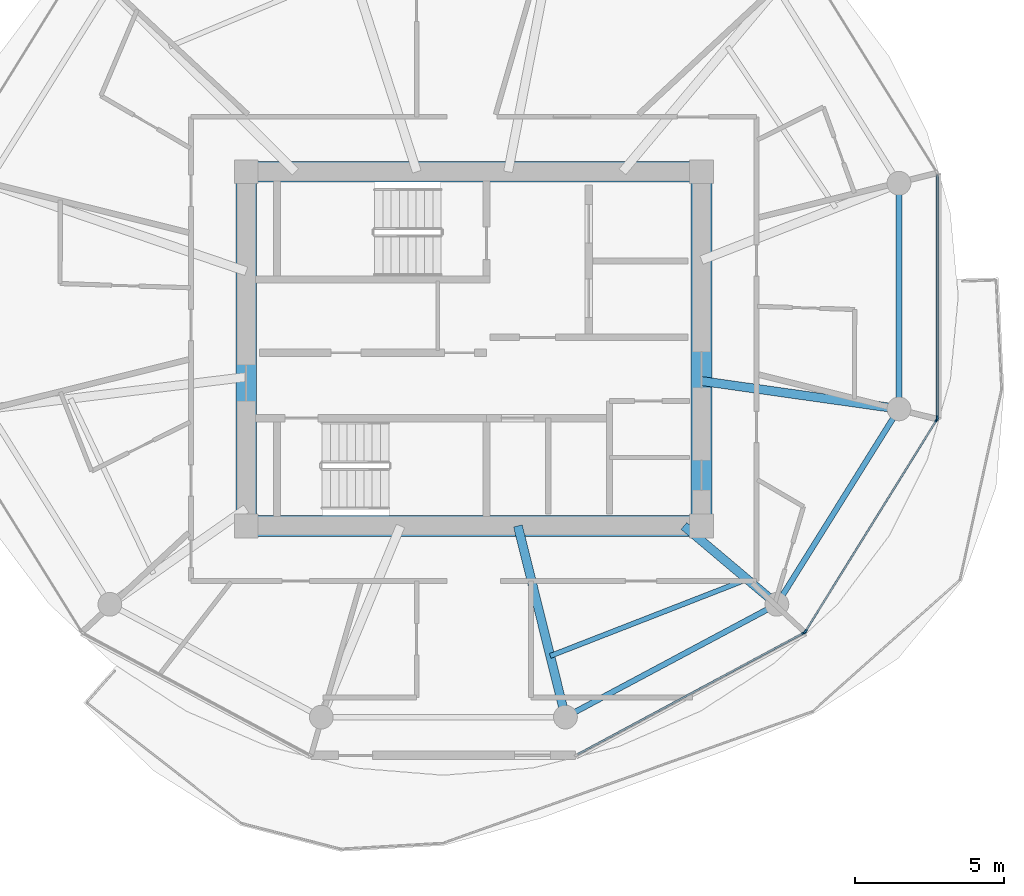
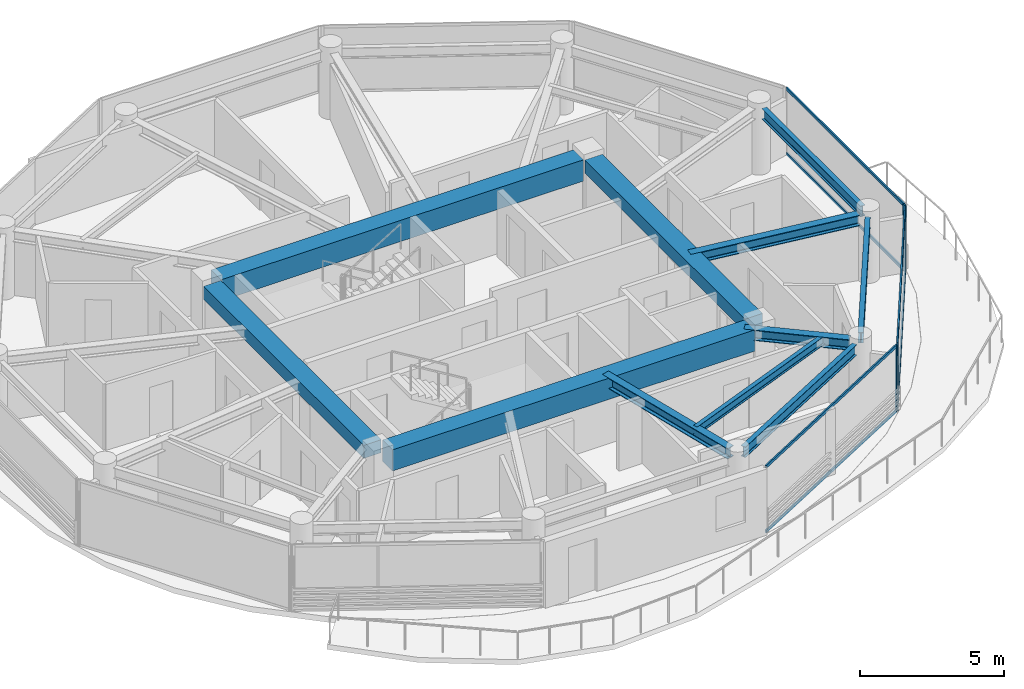
# One storey, part 9 of 22: 11 beams, 10 members, 3 elements without a shape of their own.
"""IFC4 building model written with IfcOpenShell, lengths in metres."""

import ifcopenshell
import ifcopenshell.guid

model = None  # the IFC model being written
_history = None  # IfcOwnerHistory: only IFC2X3 demands one
_inside = {}  # id of a spatial element -> (the spatial element, [elements in it])
_under = {}  # id of a project, library or spatial element -> (it, [spatial elements below it])
_declared = {}  # id of a project -> (the project, [libraries it declares])
_typed = {}  # id of a type object -> (the type object, [elements of that type])
_made_of = {}  # id of a material, layer set ... -> (it, [elements and type objects made of it])


def new_model(schema):
    """Start an empty IFC model of exactly this schema.

    Asked for "IFC4X3", IfcOpenShell would pick the latest addendum, in which some entities
    have other attributes; the version numbers below select the first issue.
    IFC2X3 requires an IfcOwnerHistory on every rooted entity: one is made here for all.
    """
    global model, _history
    if schema == "IFC4X3":
        model = ifcopenshell.file(schema_version=(4, 3, 0, 0))
    else:
        model = ifcopenshell.file(schema=schema)
    _inside.clear()
    _under.clear()
    _declared.clear()
    _typed.clear()
    _made_of.clear()
    _history = None
    if model.schema == "IFC2X3":
        org = make("IfcOrganization", Name="unknown")
        user = make(
            "IfcPersonAndOrganization",
            ThePerson=make("IfcPerson", FamilyName="unknown"),
            TheOrganization=org,
        )
        app = make(
            "IfcApplication",
            ApplicationDeveloper=org,
            Version="unknown",
            ApplicationFullName="unknown",
            ApplicationIdentifier="unknown",
        )
        _history = make(
            "IfcOwnerHistory",
            OwningUser=user,
            OwningApplication=app,
            ChangeAction="ADDED",
            CreationDate=0,
        )
    return model


def make(cls, **values):
    """One entity of the class cls with the attributes given. An attribute that is None is left unset."""
    return model.create_entity(
        cls, **{name: value for name, value in values.items() if value is not None}
    )


def rooted(cls, **values):
    """An entity with a GlobalId (a new one), such as an element, a storey or a relation."""
    return make(cls, GlobalId=ifcopenshell.guid.new(), OwnerHistory=_history, **values)


def si_unit(unit_type, name, prefix=None):
    """IfcSIUnit, for example si_unit("LENGTHUNIT", "METRE", prefix="MILLI")."""
    return make("IfcSIUnit", UnitType=unit_type, Prefix=prefix, Name=name)


def assignment(units):
    """IfcUnitAssignment: the units of a project."""
    return None if units is None else make("IfcUnitAssignment", Units=units)


def point(xyz):
    """IfcCartesianPoint."""
    return None if xyz is None else make("IfcCartesianPoint", Coordinates=xyz)


def direction(xyz):
    """IfcDirection."""
    return None if xyz is None else make("IfcDirection", DirectionRatios=xyz)


def frame(location, z_axis=None, x_axis=None):
    """IfcAxis2Placement3D, a coordinate frame: its origin and axes. An axis left out is left unset."""
    return make(
        "IfcAxis2Placement3D",
        Location=point(location),
        Axis=direction(z_axis),
        RefDirection=direction(x_axis),
    )


def frame_2d(location, x_axis=None):
    """IfcAxis2Placement2D, a coordinate frame in the plane: its origin and x axis."""
    return make(
        "IfcAxis2Placement2D", Location=point(location), RefDirection=direction(x_axis)
    )


def origin():
    """The frame at (0, 0, 0) with its axes left unset."""
    return frame((0.0, 0.0, 0.0))


def origin_2d():
    """The frame at (0, 0) in the plane with its x axis left unset."""
    return frame_2d((0.0, 0.0))


def place(relative_to, where):
    """IfcLocalPlacement: puts the frame where relative to a parent placement (None: the world)."""
    return make(
        "IfcLocalPlacement", PlacementRelTo=relative_to, RelativePlacement=where
    )


def context(
    kind, dimensions, precision=None, world=None, true_north=None, identifier=None
):
    """IfcGeometricRepresentationContext, for example the 3D "Model" context."""
    return make(
        "IfcGeometricRepresentationContext",
        ContextIdentifier=identifier,
        ContextType=kind,
        CoordinateSpaceDimension=dimensions,
        Precision=precision,
        WorldCoordinateSystem=world,
        TrueNorth=true_north,
    )


def subcontext(parent, identifier, kind, view, scale=None):
    """IfcGeometricRepresentationSubContext, for example "Body" below "Model"."""
    return make(
        "IfcGeometricRepresentationSubContext",
        ContextIdentifier=identifier,
        ContextType=kind,
        ParentContext=parent,
        TargetScale=scale,
        TargetView=view,
    )


def project(units=None, contexts=None):
    """IfcProject with its units and contexts."""
    return rooted(
        "IfcProject",
        Name="project",
        RepresentationContexts=contexts,
        UnitsInContext=assignment(units),
    )


def spatial(cls, under=None, at=None, **own):
    """A site, building, storey or space (cls), placed at a placement, below another one or the project."""
    s = rooted(cls, ObjectPlacement=at, **own)
    if under is not None:
        _under.setdefault(under.id(), (under, []))[1].append(s)
    return s


def profile(cls, at=None, kind="AREA", **sizes):
    """A parametric profile (cls). Its sizes go by their IFC names, for example OverallWidth=200.0."""
    return make(cls, ProfileType=kind, Position=at, **sizes)


def rectangle(**sizes):
    """IfcRectangleProfileDef."""
    return profile("IfcRectangleProfileDef", **sizes)


def i_section(**sizes):
    """IfcIShapeProfileDef."""
    return profile("IfcIShapeProfileDef", **sizes)


def extrude(swept, where, along, depth):
    """IfcExtrudedAreaSolid: the profile swept, set in the frame where, extruded along a direction by depth."""
    return make(
        "IfcExtrudedAreaSolid",
        SweptArea=swept,
        Position=where,
        ExtrudedDirection=direction(along),
        Depth=depth,
    )


def shape(context_of_items, identifier, shape_type, items):
    """IfcShapeRepresentation: the items that make up one representation, for example the "Body"."""
    return make(
        "IfcShapeRepresentation",
        ContextOfItems=context_of_items,
        RepresentationIdentifier=identifier,
        RepresentationType=shape_type,
        Items=items,
    )


def source(mapping_origin, context_of_items, identifier, shape_type, items):
    """IfcRepresentationMap: a shape defined once, which mapped items show again and again."""
    return make(
        "IfcRepresentationMap",
        MappingOrigin=mapping_origin,
        MappedRepresentation=shape(context_of_items, identifier, shape_type, items),
    )


def transform(
    local_origin,
    x_axis=None,
    y_axis=None,
    z_axis=None,
    scale=None,
    scale2=None,
    scale3=None,
    uniform=True,
):
    """IfcCartesianTransformationOperator3D, or its non-uniform kind. x_axis, y_axis, z_axis: its Axis1, 2, 3."""
    if uniform:
        return make(
            "IfcCartesianTransformationOperator3D",
            Axis1=direction(x_axis),
            Axis2=direction(y_axis),
            LocalOrigin=point(local_origin),
            Scale=scale,
            Axis3=direction(z_axis),
        )
    return make(
        "IfcCartesianTransformationOperator3DnonUniform",
        Axis1=direction(x_axis),
        Axis2=direction(y_axis),
        LocalOrigin=point(local_origin),
        Scale=scale,
        Axis3=direction(z_axis),
        Scale2=scale2,
        Scale3=scale3,
    )


def mapped(mapping_source, mapping_target):
    """IfcMappedItem: shows the shape of a source again, moved by a transform."""
    return make(
        "IfcMappedItem", MappingSource=mapping_source, MappingTarget=mapping_target
    )


def material(Name=None, Category=None):
    """IfcMaterial."""
    return make("IfcMaterial", Name=Name, Category=Category)


def layer(
    of_material, thickness, ventilated=None, Name=None, Category=None, Priority=None
):
    """IfcMaterialLayer: one layer of a wall or slab, of a material (None: an air gap)."""
    return make(
        "IfcMaterialLayer",
        Material=of_material,
        LayerThickness=thickness,
        IsVentilated=ventilated,
        Name=Name,
        Category=Category,
        Priority=Priority,
    )


def layer_set(layers, Name=None):
    """IfcMaterialLayerSet."""
    return make("IfcMaterialLayerSet", MaterialLayers=layers, LayerSetName=Name)


def material_profile(
    of_material, cross_section, Name=None, Category=None, Priority=None
):
    """IfcMaterialProfile: a cross section and its material."""
    return make(
        "IfcMaterialProfile",
        Name=Name,
        Material=of_material,
        Profile=cross_section,
        Priority=Priority,
        Category=Category,
    )


def profile_set(profiles, Name=None, composite=None):
    """IfcMaterialProfileSet."""
    return make(
        "IfcMaterialProfileSet",
        Name=Name,
        MaterialProfiles=profiles,
        CompositeProfile=composite,
    )


def made_of(thing, what):
    """Note that an element or type object is made of a material, layer set ...; save() writes the relation."""
    if what is not None:
        _made_of.setdefault(what.id(), (what, []))[1].append(thing)
    return thing


def type_object(cls, material=None, **own):
    """A type object (cls), such as IfcWallType, which elements share."""
    return made_of(rooted(cls, **own), material)


def type_shapes(of_type, sources):
    """Give a type object the sources (RepresentationMaps) that its elements show as mapped items."""
    of_type.RepresentationMaps = sources


def element(
    cls,
    number,
    at=None,
    inside=None,
    cuts=None,
    type_object=None,
    material=None,
    context=None,
    identifier="Body",
    shape_type=None,
    held_by="IfcProductDefinitionShape",
    body=None,
    shapes=None,
    **own,
):
    """One element of the class cls, such as IfcWall. Its Tag is "e" and its number.

    at: its placement. inside: the storey or other place that contains it. cuts: it is an
    opening in that element (IfcRelVoidsElement). A single representation is given by context,
    identifier, shape_type and body (its items); several are given by shapes. held_by: the class
    of the entity that holds the representations. save() writes the other relations.
    """
    e = rooted(cls, Tag="e%d" % number, ObjectPlacement=at, **own)
    if body is not None:
        shapes = [shape(context, identifier, shape_type, body)]
    if shapes is not None:
        e.Representation = make(held_by, Representations=shapes)
    if inside is not None:
        _inside.setdefault(inside.id(), (inside, []))[1].append(e)
    if cuts is not None:
        rooted(
            "IfcRelVoidsElement", RelatingBuildingElement=cuts, RelatedOpeningElement=e
        )
    if type_object is not None:
        _typed.setdefault(type_object.id(), (type_object, []))[1].append(e)
    return made_of(e, material)


def aggregate(whole, parts):
    """IfcRelAggregates: a whole, such as a stair, and the parts it consists of."""
    return rooted("IfcRelAggregates", RelatingObject=whole, RelatedObjects=parts)


def save(model, path):
    """Write the relations noted so far, then the file.

    IfcRelAggregates (storeys below a building ...), IfcRelContainedInSpatialStructure (elements
    in a storey), IfcRelDefinesByType, IfcRelAssociatesMaterial and IfcRelDeclares: one each for
    every whole, place, type object, material and project.
    """
    for whole, parts in _under.values():
        aggregate(whole, parts)
    for where, things in _inside.values():
        rooted(
            "IfcRelContainedInSpatialStructure",
            RelatedElements=things,
            RelatingStructure=where,
        )
    for kind, things in _typed.values():
        rooted("IfcRelDefinesByType", RelatedObjects=things, RelatingType=kind)
    for what, things in _made_of.values():
        rooted("IfcRelAssociatesMaterial", RelatedObjects=things, RelatingMaterial=what)
    for by, libraries in _declared.values():
        rooted("IfcRelDeclares", RelatingContext=by, RelatedDefinitions=libraries)
    model.write(path)


model = new_model("IFC4")

# Units and contexts
model_context = context("Model", 3, precision=1e-05, world=origin(), true_north=direction((0.0, 1.0)))
body_context = subcontext(model_context, "Body", "Model", "MODEL_VIEW")
ifc_project = project(units=[si_unit("LENGTHUNIT", "METRE"), si_unit("AREAUNIT", "SQUARE_METRE"), si_unit("VOLUMEUNIT", "CUBIC_METRE"), si_unit("PLANEANGLEUNIT", "RADIAN"), si_unit("MASSUNIT", "GRAM", prefix="KILO")], contexts=[model_context])

# Site, building, storey
site_placement = place(None, origin())
site = spatial("IfcSite", under=ifc_project, at=site_placement, CompositionType="ELEMENT")
building_placement = place(site_placement, origin())
building = spatial("IfcBuilding", under=site, at=building_placement, Name="Norrkilde Senior Care Towers", CompositionType="ELEMENT")
storey_placement = place(building_placement, frame((0.0, 0.0, 152.60009765625)))
storey = spatial("IfcBuildingStorey", under=building, at=storey_placement, Name="L47", CompositionType="ELEMENT", Elevation=152.60009765625)

# Beams
ifc_material_1 = material(Name="Concrete C60/75", Category="concrete")
ifc_material_profile_1 = material_profile(ifc_material_1, rectangle(XDim=0.699951171875, YDim=0.89990234375, at=origin_2d()), Name="RC BM 700x900")
ifc_profile_set_1 = profile_set([ifc_material_profile_1], Name="Concrete C60/75")
beam_type_1 = type_object("IfcBeamType", Name="Core Coupling Girder 700x900", PredefinedType="USERDEFINED", material=ifc_profile_set_1)
shared_shape_1 = source(origin(), body_context, "Body", "SweptSolid", [
    extrude(rectangle(XDim=0.699951171875, YDim=0.89990234375, at=origin_2d()), origin(), (0.0, 0.0, 1.0), 14.5400390625),
])
type_shapes(beam_type_1, [shared_shape_1])
for number, where, z_axis, x_axis, name in (
    (1, (20.72998046875, 5.949951171875, 2.35986328125), (1.0, 0.0, 0.0), (0.0, 1.0, 0.0), "L47 Core E N Coupling Girder"),
    (2, (20.72998046875, -5.949951171875, 2.35986328125), (1.0, 0.0, 0.0), (0.0, 1.0, 0.0), "L47 Core E S Coupling Girder"),
):
    element("IfcBeam", number, at=place(storey_placement, frame(where, z_axis=z_axis, x_axis=x_axis)), inside=storey, type_object=beam_type_1, Name=name, ObjectType="GIRDER", PredefinedType="USERDEFINED", context=body_context, shape_type="MappedRepresentation", body=[
        mapped(shared_shape_1, transform((0.0, 0.0, 0.0), x_axis=(1.0, 0.0, 0.0), y_axis=(0.0, 1.0, 0.0), z_axis=(0.0, 0.0, 1.0), scale=1.0)),
    ])
ifc_material_profile_2 = material_profile(ifc_material_1, rectangle(XDim=0.699951171875, YDim=0.550048828125, at=origin_2d()), Name="RC BM 700x550")
ifc_profile_set_2 = profile_set([ifc_material_profile_2], Name="Concrete C60/75")
beam_type_2 = type_object("IfcBeamType", Name="Core Portal Coupling Beam 700x550", PredefinedType="USERDEFINED", material=ifc_profile_set_2)
shared_shape_2 = source(origin(), body_context, "Body", "SweptSolid", [
    extrude(rectangle(XDim=0.699951171875, YDim=0.550048828125, at=origin_2d()), origin(), (0.0, 0.0, 1.0), 11.14013671875),
])
type_shapes(beam_type_2, [shared_shape_2])
for number, where, z_axis, x_axis, name in (
    (3, (20.35009765625, -5.570068359375, 2.534912109375), (0.0, 1.0, 0.0), (-1.0, 0.0, 0.0), "L47 Core E W Coupling Girder"),
    (4, (35.64990234375, -5.570068359375, 2.534912109375), (0.0, 1.0, 0.0), (-1.0, 0.0, 0.0), "L47 Core E E Coupling Girder"),
):
    element("IfcBeam", number, at=place(storey_placement, frame(where, z_axis=z_axis, x_axis=x_axis)), inside=storey, type_object=beam_type_2, Name=name, ObjectType="GIRDER", PredefinedType="USERDEFINED", context=body_context, shape_type="MappedRepresentation", body=[
        mapped(shared_shape_2, transform((0.0, 0.0, 0.0), x_axis=(1.0, 0.0, 0.0), y_axis=(0.0, 1.0, 0.0), z_axis=(0.0, 0.0, 1.0), scale=1.0)),
    ])
ifc_material_2 = material(Name="Steel S355", Category="steel")
ifc_material_profile_3 = material_profile(ifc_material_2, i_section(OverallWidth=0.18994140625, OverallDepth=0.449951171875, WebThickness=0.009521484375, FlangeThickness=0.0146484375, FilletRadius=0.02099609375, at=origin_2d()), Name="IPE 450")
ifc_profile_set_3 = profile_set([ifc_material_profile_3], Name="Steel S355")
beam_type_3 = type_object("IfcBeamType", Name="Perimeter Ring Spandrel Z3 IPE450", PredefinedType="SPANDREL", material=ifc_profile_set_3)
shared_shape_3 = source(origin(), body_context, "Body", "SweptSolid", [
    extrude(i_section(OverallWidth=0.18994140625, OverallDepth=0.449951171875, WebThickness=0.009521484375, FlangeThickness=0.0146484375, FilletRadius=0.02099609375, at=origin_2d()), origin(), (0.0, 0.0, 1.0), 6.86328125),
])
beam_1_placement = place(storey_placement, frame((42.284912109375, -1.65625, 2.5849609375), z_axis=(0.0, 1.0, 0.0), x_axis=(-1.0, 0.0, 0.0)))
element("IfcBeam", 5, at=beam_1_placement, inside=storey, type_object=beam_type_3, Name="L47 Drum E Perimeter Spandrel 12", PredefinedType="SPANDREL", context=body_context, shape_type="MappedRepresentation", body=[
    mapped(shared_shape_3, transform((0.0, 0.0, 0.0), x_axis=(1.0, 0.0, 0.0), y_axis=(0.0, 1.0, 0.0), z_axis=(0.0, 0.0, 1.0), scale=1.0)),
])
shared_shape_4 = source(origin(), body_context, "Body", "SweptSolid", [
    extrude(i_section(OverallWidth=0.18994140625, OverallDepth=0.449951171875, WebThickness=0.009521484375, FlangeThickness=0.0146484375, FilletRadius=0.02099609375, at=origin_2d()), origin(), (0.0, 0.0, 1.0), 7.023193359375),
])
beam_2_placement = place(storey_placement, frame((38.373291015625, -8.2783203125, 2.5849609375), z_axis=(0.529805197269, 0.848119362441, 0.0), x_axis=(-0.848119362441, 0.529805197269, 0.0)))
element("IfcBeam", 6, at=beam_2_placement, inside=storey, type_object=beam_type_3, Name="L47 Drum E Perimeter Spandrel 11", PredefinedType="SPANDREL", context=body_context, shape_type="MappedRepresentation", body=[
    mapped(shared_shape_4, transform((0.0, 0.0, 0.0), x_axis=(1.0, 0.0, 0.0), y_axis=(0.0, 1.0, 0.0), z_axis=(0.0, 0.0, 1.0), scale=1.0)),
])
ifc_material_profile_4 = material_profile(ifc_material_2, i_section(OverallWidth=0.300048828125, OverallDepth=0.449951171875, WebThickness=0.013916015625, FlangeThickness=0.02587890625, FilletRadius=0.027099609375, at=origin_2d()), Name="HEB 450")
ifc_profile_set_4 = profile_set([ifc_material_profile_4], Name="Steel S355")
beam_type_4 = type_object("IfcBeamType", Name="Radial Floor Beam Z3 HEB450", PredefinedType="BEAM", material=ifc_profile_set_4)
shared_shape_5 = source(origin(), body_context, "Body", "SweptSolid", [
    extrude(i_section(OverallWidth=0.300048828125, OverallDepth=0.449951171875, WebThickness=0.013916015625, FlangeThickness=0.02587890625, FilletRadius=0.027099609375, at=origin_2d()), origin(), (0.0, 0.0, 1.0), 6.3408203125),
])
beam_3_placement = place(storey_placement, frame((35.64990234375, -1.079833984375, 2.5849609375), z_axis=(0.990184519576, -0.139766294905, 0.0), x_axis=(0.139766294905, 0.990184519576, 0.0)))
element("IfcBeam", 7, at=beam_3_placement, inside=storey, type_object=beam_type_4, Name="L47 Drum E Radial Floor Beam 12", PredefinedType="BEAM", context=body_context, shape_type="MappedRepresentation", body=[
    mapped(shared_shape_5, transform((0.0, 0.0, 0.0), x_axis=(1.0, 0.0, 0.0), y_axis=(0.0, 1.0, 0.0), z_axis=(0.0, 0.0, 1.0), scale=1.0)),
])
shared_shape_6 = source(origin(), body_context, "Body", "SweptSolid", [
    extrude(i_section(OverallWidth=0.18994140625, OverallDepth=0.449951171875, WebThickness=0.009521484375, FlangeThickness=0.0146484375, FilletRadius=0.02099609375, at=origin_2d()), origin(), (0.0, 0.0, 1.0), 7.333984375),
])
type_shapes(beam_type_3, [shared_shape_3, shared_shape_4, shared_shape_6])
beam_4_placement = place(storey_placement, frame((31.394775390625, -12.2060546875, 2.5849609375), z_axis=(0.882234038987, 0.470811109101, 0.0), x_axis=(-0.470811109101, 0.882234038987, 0.0)))
element("IfcBeam", 8, at=beam_4_placement, inside=storey, type_object=beam_type_3, Name="L47 Drum E Perimeter Spandrel 10", PredefinedType="SPANDREL", context=body_context, shape_type="MappedRepresentation", body=[
    mapped(shared_shape_6, transform((0.0, 0.0, 0.0), x_axis=(1.0, 0.0, 0.0), y_axis=(0.0, 1.0, 0.0), z_axis=(0.0, 0.0, 1.0), scale=1.0)),
])
shared_shape_7 = source(origin(), body_context, "Body", "SweptSolid", [
    extrude(i_section(OverallWidth=0.300048828125, OverallDepth=0.449951171875, WebThickness=0.013916015625, FlangeThickness=0.02587890625, FilletRadius=0.027099609375, at=origin_2d()), origin(), (0.0, 0.0, 1.0), 3.7265625),
])
beam_5_placement = place(storey_placement, frame((35.058349609375, -5.949951171875, 2.5849609375), z_axis=(0.764567902106, -0.644543189453, 0.0), x_axis=(0.644543189453, 0.764567902106, 0.0)))
element("IfcBeam", 9, at=beam_5_placement, inside=storey, type_object=beam_type_4, Name="L47 Drum E Radial Floor Beam 11", PredefinedType="BEAM", context=body_context, shape_type="MappedRepresentation", body=[
    mapped(shared_shape_7, transform((0.0, 0.0, 0.0), x_axis=(1.0, 0.0, 0.0), y_axis=(0.0, 1.0, 0.0), z_axis=(0.0, 0.0, 1.0), scale=1.0)),
])
shared_shape_8 = source(origin(), body_context, "Body", "SweptSolid", [
    extrude(i_section(OverallWidth=0.300048828125, OverallDepth=0.449951171875, WebThickness=0.013916015625, FlangeThickness=0.02587890625, FilletRadius=0.027099609375, at=origin_2d()), origin(), (0.0, 0.0, 1.0), 6.26123046875),
])
type_shapes(beam_type_4, [shared_shape_5, shared_shape_7, shared_shape_8])
beam_6_placement = place(storey_placement, frame((29.4794921875, -5.949951171875, 2.5849609375), z_axis=(0.241324375921, -0.970444509277, 0.0), x_axis=(0.970444509277, 0.241324375921, 0.0)))
element("IfcBeam", 10, at=beam_6_placement, inside=storey, type_object=beam_type_4, Name="L47 Drum E Radial Floor Beam 10", PredefinedType="BEAM", context=body_context, shape_type="MappedRepresentation", body=[
    mapped(shared_shape_8, transform((0.0, 0.0, 0.0), x_axis=(1.0, 0.0, 0.0), y_axis=(0.0, 1.0, 0.0), z_axis=(0.0, 0.0, 1.0), scale=1.0)),
])
ifc_material_profile_5 = material_profile(ifc_material_2, i_section(OverallWidth=0.169921875, OverallDepth=0.360107421875, WebThickness=0.008056640625, FlangeThickness=0.0126953125, FilletRadius=0.01806640625, at=origin_2d()), Name="IPE 360")
ifc_profile_set_5 = profile_set([ifc_material_profile_5], Name="Steel S355")
beam_type_5 = type_object("IfcBeamType", Name="Secondary Floor Joist IPE360", PredefinedType="JOIST", material=ifc_profile_set_5)
shared_shape_9 = source(origin(), body_context, "Body", "SweptSolid", [
    extrude(i_section(OverallWidth=0.169921875, OverallDepth=0.360107421875, WebThickness=0.008056640625, FlangeThickness=0.0126953125, FilletRadius=0.01806640625, at=origin_2d()), origin(), (0.0, 0.0, 1.0), 7.1015625),
])
type_shapes(beam_type_5, [shared_shape_9])
beam_7_placement = place(storey_placement, frame((30.56591796875, -10.3193359375, 2.6298828125), z_axis=(0.931761231292, 0.363071629106, 0.0), x_axis=(-0.363071629106, 0.931761231292, 0.0)))
element("IfcBeam", 11, at=beam_7_placement, inside=storey, type_object=beam_type_5, Name="L47 Drum E Secondary Floor Joist 4", PredefinedType="JOIST", context=body_context, shape_type="MappedRepresentation", body=[
    mapped(shared_shape_9, transform((0.0, 0.0, 0.0), x_axis=(1.0, 0.0, 0.0), y_axis=(0.0, 1.0, 0.0), z_axis=(0.0, 0.0, 1.0), scale=1.0)),
])

# Curtain wall, members
ifc_material_3 = material(Name="Triple Low-E Insulated Glazing", Category="glass")
ifc_layer = layer(ifc_material_3, 0.18994140625)
ifc_layer_set = layer_set([ifc_layer], Name="Triple Low-E Insulated Glazing")
curtain_wall_type = type_object("IfcCurtainWallType", Name="CW4 Zone 3 Senior Residence Curtain Wall", PredefinedType="NOTDEFINED", material=ifc_layer_set)
curtain_wall_1_placement = place(storey_placement, origin())
curtain_wall_1 = element("IfcCurtainWall", 12, at=curtain_wall_1_placement, inside=storey, type_object=curtain_wall_type, Name="L47 Drum E Curtain Wall 10", PredefinedType="NOTDEFINED")
ifc_material_4 = material(Name="Anodised Aluminium", Category="aluminium")
ifc_material_profile_6 = material_profile(ifc_material_4, rectangle(XDim=0.06005859375, YDim=0.1201171875, at=origin_2d()), Name="ALU TRAN 60x120")
ifc_profile_set_6 = profile_set([ifc_material_profile_6], Name="Anodised Aluminium")
member_type_1 = type_object("IfcMemberType", Name="Curtain Wall Transom Typical 60x120", PredefinedType="USERDEFINED", material=ifc_profile_set_6)
shared_shape_10 = source(origin(), body_context, "Body", "SweptSolid", [
    extrude(rectangle(XDim=0.06005859375, YDim=0.1201171875, at=origin_2d()), origin(), (0.0, 0.0, 1.0), 8.301513671875),
])
member_1_placement = place(storey_placement, frame((43.535400390625, -2.415771484375, 0.02978515625), z_axis=(-0.527368718394, -0.849636531029, 0.0), x_axis=(0.849636531029, -0.527368718394, 0.0)))
member_1 = element("IfcMember", 13, at=member_1_placement, type_object=member_type_1, Name="CW-4 transom 1.1", ObjectType="TRANSOM", PredefinedType="USERDEFINED", context=body_context, shape_type="MappedRepresentation", body=[
    mapped(shared_shape_10, transform((0.0, 0.0, 0.0), x_axis=(1.0, 0.0, 0.0), y_axis=(0.0, 1.0, 0.0), z_axis=(0.0, 0.0, 1.0), scale=1.0)),
])
member_2_placement = place(storey_placement, frame((43.535400390625, -2.415771484375, 2.77978515625), z_axis=(-0.527368718394, -0.849636531029, 0.0), x_axis=(0.849636531029, -0.527368718394, 0.0)))
member_2 = element("IfcMember", 14, at=member_2_placement, type_object=member_type_1, Name="CW-4 transom 1.2", ObjectType="TRANSOM", PredefinedType="USERDEFINED", context=body_context, shape_type="MappedRepresentation", body=[
    mapped(shared_shape_10, transform((0.0, 0.0, 0.0), x_axis=(1.0, 0.0, 0.0), y_axis=(0.0, 1.0, 0.0), z_axis=(0.0, 0.0, 1.0), scale=1.0)),
])

curtain_wall_2_placement = place(storey_placement, origin())
curtain_wall_2 = element("IfcCurtainWall", 15, at=curtain_wall_2_placement, inside=storey, type_object=curtain_wall_type, Name="L47 Drum E Curtain Wall 09", PredefinedType="NOTDEFINED")
shared_shape_11 = source(origin(), body_context, "Body", "SweptSolid", [
    extrude(rectangle(XDim=0.06005859375, YDim=0.1201171875, at=origin_2d()), origin(), (0.0, 0.0, 1.0), 8.612060546875),
])
member_3_placement = place(storey_placement, frame((39.06591796875, -9.554931640625, 0.02978515625), z_axis=(-0.881000337462, -0.473115636384, 0.0), x_axis=(0.473115636384, -0.881000337462, 0.0)))
member_3 = element("IfcMember", 16, at=member_3_placement, type_object=member_type_1, Name="CW-4 transom 1.1", ObjectType="TRANSOM", PredefinedType="USERDEFINED", context=body_context, shape_type="MappedRepresentation", body=[
    mapped(shared_shape_11, transform((0.0, 0.0, 0.0), x_axis=(1.0, 0.0, 0.0), y_axis=(0.0, 1.0, 0.0), z_axis=(0.0, 0.0, 1.0), scale=1.0)),
])
member_4_placement = place(storey_placement, frame((39.06591796875, -9.554931640625, 2.77978515625), z_axis=(-0.881000337462, -0.473115636384, 0.0), x_axis=(0.473115636384, -0.881000337462, 0.0)))
member_4 = element("IfcMember", 17, at=member_4_placement, type_object=member_type_1, Name="CW-4 transom 1.2", ObjectType="TRANSOM", PredefinedType="USERDEFINED", context=body_context, shape_type="MappedRepresentation", body=[
    mapped(shared_shape_11, transform((0.0, 0.0, 0.0), x_axis=(1.0, 0.0, 0.0), y_axis=(0.0, 1.0, 0.0), z_axis=(0.0, 0.0, 1.0), scale=1.0)),
])

curtain_wall_3_placement = place(storey_placement, origin())
curtain_wall_3 = element("IfcCurtainWall", 18, at=curtain_wall_3_placement, inside=storey, type_object=curtain_wall_type, Name="L47 Drum E Curtain Wall 11", PredefinedType="NOTDEFINED")
shared_shape_12 = source(origin(), body_context, "Body", "SweptSolid", [
    extrude(rectangle(XDim=0.06005859375, YDim=0.1201171875, at=origin_2d()), origin(), (0.0, 0.0, 1.0), 8.141845703125),
])
type_shapes(member_type_1, [shared_shape_10, shared_shape_11, shared_shape_12])
member_5_placement = place(storey_placement, frame((43.569580078125, 5.84619140625, 0.02978515625), z_axis=(0.0, -1.0, 0.0), x_axis=(1.0, 0.0, 0.0)))
member_5 = element("IfcMember", 19, at=member_5_placement, type_object=member_type_1, Name="CW-4 transom 1.1", ObjectType="TRANSOM", PredefinedType="USERDEFINED", context=body_context, shape_type="MappedRepresentation", body=[
    mapped(shared_shape_12, transform((0.0, 0.0, 0.0), x_axis=(1.0, 0.0, 0.0), y_axis=(0.0, 1.0, 0.0), z_axis=(0.0, 0.0, 1.0), scale=1.0)),
])
member_6_placement = place(storey_placement, frame((43.569580078125, 5.84619140625, 2.77978515625), z_axis=(0.0, -1.0, 0.0), x_axis=(1.0, 0.0, 0.0)))
member_6 = element("IfcMember", 20, at=member_6_placement, type_object=member_type_1, Name="CW-4 transom 1.2", ObjectType="TRANSOM", PredefinedType="USERDEFINED", context=body_context, shape_type="MappedRepresentation", body=[
    mapped(shared_shape_12, transform((0.0, 0.0, 0.0), x_axis=(1.0, 0.0, 0.0), y_axis=(0.0, 1.0, 0.0), z_axis=(0.0, 0.0, 1.0), scale=1.0)),
])

# Member
ifc_material_profile_7 = material_profile(ifc_material_4, rectangle(XDim=0.06494140625, YDim=0.14990234375, at=origin_2d()), Name="ALU MULL 65x150")
ifc_profile_set_7 = profile_set([ifc_material_profile_7], Name="Anodised Aluminium")
member_type_2 = type_object("IfcMemberType", Name="Curtain Wall Mullion Z3-Z4 65x150", PredefinedType="MULLION", material=ifc_profile_set_7)
shared_shape_13 = source(origin(), body_context, "Body", "SweptSolid", [
    extrude(rectangle(XDim=0.06494140625, YDim=0.14990234375, at=origin_2d()), origin(), (0.0, 0.0, 1.0), 2.809814453125),
])
type_shapes(member_type_2, [shared_shape_13])
member_7_placement = place(storey_placement, frame((39.094482421875, -9.53955078125, 0.0), z_axis=(0.0, 0.0, 1.0), x_axis=(0.47311715104, -0.880999524059, 0.0)))
member_7 = element("IfcMember", 21, at=member_7_placement, type_object=member_type_2, Name="CW-4 mullion 1", PredefinedType="MULLION", context=body_context, shape_type="MappedRepresentation", body=[
    mapped(shared_shape_13, transform((0.0, 0.0, 0.0), x_axis=(1.0, 0.0, 0.0), y_axis=(0.0, 1.0, 0.0), z_axis=(0.0, 0.0, 1.0), scale=1.0)),
])

aggregate(curtain_wall_2, [member_7, member_3, member_4])

member_8_placement = place(storey_placement, frame((43.552490234375, -2.38818359375, 0.0), z_axis=(0.0, 0.0, 1.0), x_axis=(0.84963405474, -0.52737270789, 0.0)))
member_8 = element("IfcMember", 22, at=member_8_placement, type_object=member_type_2, Name="CW-4 mullion 1", PredefinedType="MULLION", context=body_context, shape_type="MappedRepresentation", body=[
    mapped(shared_shape_13, transform((0.0, 0.0, 0.0), x_axis=(1.0, 0.0, 0.0), y_axis=(0.0, 1.0, 0.0), z_axis=(0.0, 0.0, 1.0), scale=1.0)),
])

member_9_placement = place(storey_placement, frame((39.14013671875, -9.49658203125, 0.0), z_axis=(0.0, 0.0, 1.0), x_axis=(0.84963405474, -0.52737270789, 0.0)))
member_9 = element("IfcMember", 23, at=member_9_placement, type_object=member_type_2, Name="CW-4 mullion 2", PredefinedType="MULLION", context=body_context, shape_type="MappedRepresentation", body=[
    mapped(shared_shape_13, transform((0.0, 0.0, 0.0), x_axis=(1.0, 0.0, 0.0), y_axis=(0.0, 1.0, 0.0), z_axis=(0.0, 0.0, 1.0), scale=1.0)),
])

aggregate(curtain_wall_1, [member_8, member_9, member_1, member_2])

member_10_placement = place(storey_placement, frame((43.569580078125, -2.328125, 0.0), z_axis=(0.0, 0.0, 1.0), x_axis=(1.0, 0.0, 0.0)))
member_10 = element("IfcMember", 24, at=member_10_placement, type_object=member_type_2, Name="CW-4 mullion 2", PredefinedType="MULLION", context=body_context, shape_type="MappedRepresentation", body=[
    mapped(shared_shape_13, transform((0.0, 0.0, 0.0), x_axis=(1.0, 0.0, 0.0), y_axis=(0.0, 1.0, 0.0), z_axis=(0.0, 0.0, 1.0), scale=1.0)),
])

aggregate(curtain_wall_3, [member_10, member_5, member_6])

save(model, "model.ifc")
